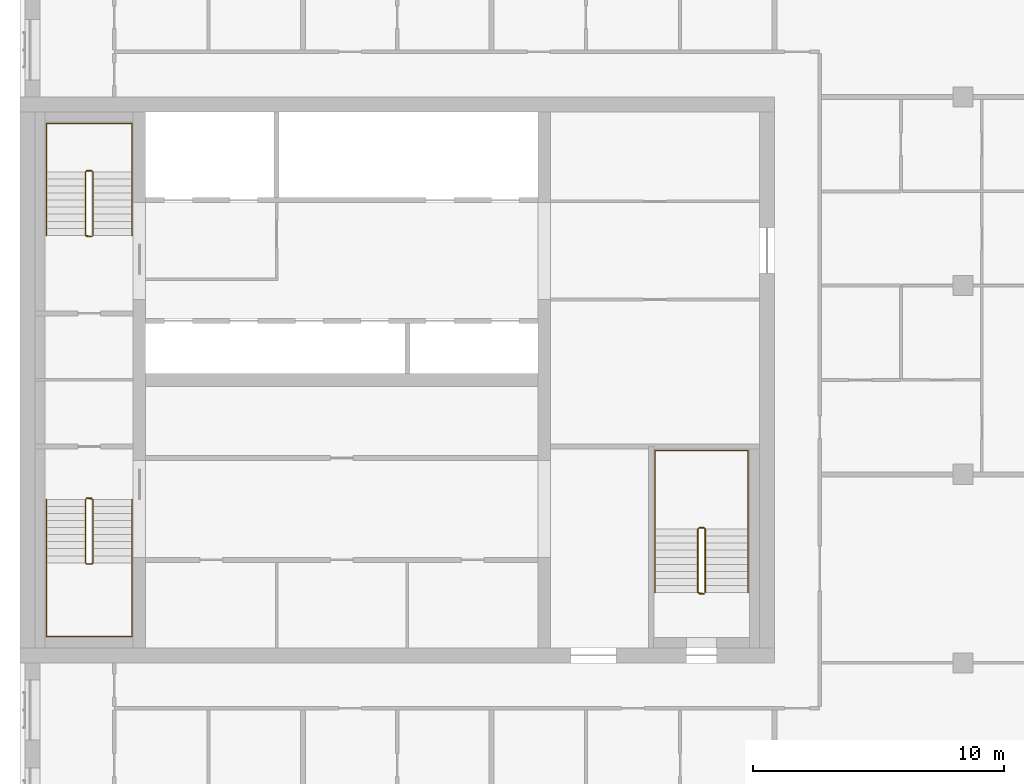
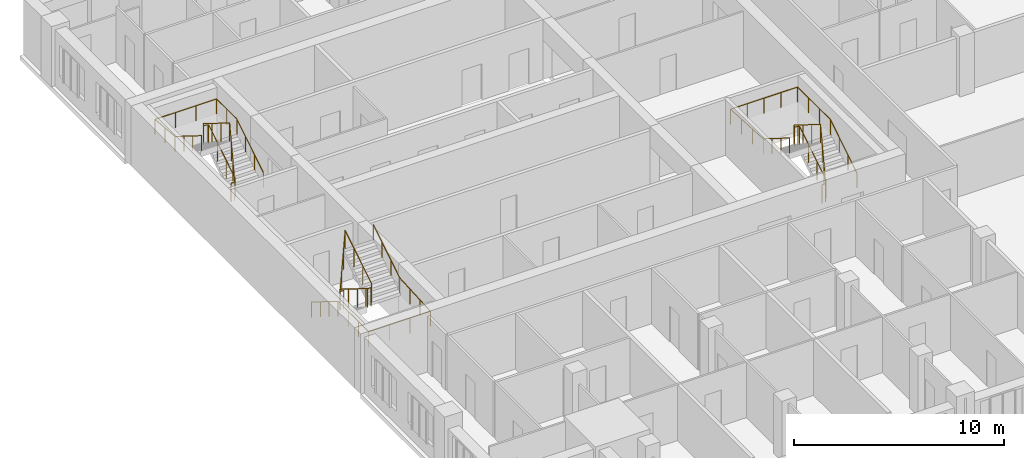
# One storey, part 10 of 10: 6 railings.
"""IFC4 building model written with IfcOpenShell, lengths in metres."""

from ifc_helpers import new_model, si_unit, direction, frame, origin, origin_2d, place, context, subcontext, project, spatial, circle, extrude, material, type_object, element, save


model = new_model("IFC4")

# Units and contexts
model_context = context("Model", 3, precision=1e-05, world=origin(), true_north=direction((0.0, 1.0)))
body_context = subcontext(model_context, "Body", "Model", "MODEL_VIEW")
ifc_project = project(units=[si_unit("LENGTHUNIT", "METRE"), si_unit("AREAUNIT", "SQUARE_METRE"), si_unit("VOLUMEUNIT", "CUBIC_METRE"), si_unit("PLANEANGLEUNIT", "RADIAN"), si_unit("MASSUNIT", "GRAM", prefix="KILO")], contexts=[model_context])

# Site, building, storey
site_placement = place(None, origin())
site = spatial("IfcSite", under=ifc_project, at=site_placement, CompositionType="ELEMENT")
building_placement = place(site_placement, origin())
building = spatial("IfcBuilding", under=site, at=building_placement, Name="Tamorin Gate", CompositionType="ELEMENT")
storey_placement = place(building_placement, frame((0.0, 0.0, 223.199951171875)))
storey = spatial("IfcBuildingStorey", under=building, at=storey_placement, Name="L55", CompositionType="ELEMENT", Elevation=223.199951171875)

# Railings
ifc_material_1 = material(Name="Painted steel balustrade", Category="steel")
railing_type_1 = type_object("IfcRailingType", Name="Stair guard 1100", PredefinedType="GUARDRAIL", material=ifc_material_1)
railing_1_placement = place(storey_placement, frame((32.60009765625, 66.5, 0.175048828125)))
element("IfcRailing", 1, at=railing_1_placement, inside=storey, type_object=railing_type_1, Name="L55 ST1 stair guard 1", PredefinedType="GUARDRAIL", context=body_context, shape_type="SweptSolid", body=[
    extrude(circle(Radius=0.02392578125, at=origin_2d()), frame((0.0, 0.0, 1.076171875), z_axis=(0.0, -0.848007534815, 0.529984170421), x_axis=(1.0, 0.0, 0.0)), (0.0, 0.0, 1.0), 2.9716796875),
    extrude(circle(Radius=0.02392578125, at=origin_2d()), frame((0.0, -2.52001953125, 2.65087890625), z_axis=(0.705375805398, -0.708833529934, 0.0), x_axis=(0.708833529934, 0.705375805398, 0.0)), (0.0, 0.0, 1.0), 0.070556640625),
    extrude(circle(Radius=0.02392578125, at=origin_2d()), frame((0.0498046875, -2.570068359375, 2.65087890625), z_axis=(1.0, 0.0, 0.0), x_axis=(0.0, 1.0, 0.0)), (0.0, 0.0, 1.0), 0.2001953125),
    extrude(circle(Radius=0.02392578125, at=origin_2d()), frame((0.25, -2.570068359375, 2.65087890625), z_axis=(0.263862480399, 0.265155923931, 0.927399011991), x_axis=(-0.708833529934, 0.705375805398, 0.0)), (0.0, 0.0, 1.0), 0.188720703125),
    extrude(circle(Radius=0.02392578125, at=origin_2d()), frame((0.2998046875, -2.52001953125, 2.826171875), z_axis=(0.0, 0.848007534815, 0.529984170421), x_axis=(-1.0, 0.0, 0.0)), (0.0, 0.0, 1.0), 2.9716796875),
    extrude(circle(Radius=0.02392578125, at=origin_2d()), frame((0.2998046875, 0.0, 4.40087890625), z_axis=(-0.071239803756, 0.014261874775, -0.997357252587), x_axis=(-0.196300278283, -0.98054382908, 0.0)), (0.0, 0.0, 1.0), 3.50927734375),
    extrude(circle(Radius=0.02392578125, at=origin_2d()), frame((0.0498046875, 0.050048828125, 0.90087890625), z_axis=(1.0, 0.0, 0.0), x_axis=(0.0, 1.0, 0.0)), (0.0, 0.0, 1.0), 0.2001953125),
    extrude(circle(Radius=0.02099609375, at=origin_2d()), origin(), (0.0, 0.0, 1.0), 1.052001953125),
    extrude(circle(Radius=0.02099609375, at=origin_2d()), frame((0.0, -0.840087890625, 0.52490234375)), (0.0, 0.0, 1.0), 1.052001953125),
    extrude(circle(Radius=0.02099609375, at=origin_2d()), frame((0.0, -1.679931640625, 1.050048828125)), (0.0, 0.0, 1.0), 1.052001953125),
    extrude(circle(Radius=0.02099609375, at=origin_2d()), frame((0.0, -2.52001953125, 1.574951171875)), (0.0, 0.0, 1.0), 1.052001953125),
    extrude(circle(Radius=0.02099609375, at=origin_2d()), frame((0.0498046875, -2.570068359375, 1.574951171875)), (0.0, 0.0, 1.0), 1.052001953125),
    extrude(circle(Radius=0.02099609375, at=origin_2d()), frame((0.25, -2.570068359375, 1.574951171875)), (0.0, 0.0, 1.0), 1.052001953125),
    extrude(circle(Radius=0.02099609375, at=origin_2d()), frame((0.2998046875, -2.52001953125, 1.75)), (0.0, 0.0, 1.0), 1.052001953125),
    extrude(circle(Radius=0.02099609375, at=origin_2d()), frame((0.2998046875, -1.679931640625, 2.27490234375)), (0.0, 0.0, 1.0), 1.052001953125),
    extrude(circle(Radius=0.02099609375, at=origin_2d()), frame((0.2998046875, -0.840087890625, 2.800048828125)), (0.0, 0.0, 1.0), 1.052001953125),
    extrude(circle(Radius=0.02099609375, at=origin_2d()), frame((0.2998046875, 0.0, 3.324951171875)), (0.0, 0.0, 1.0), 1.052001953125),
    extrude(circle(Radius=0.02099609375, at=origin_2d()), frame((0.216552734375, 0.0166015625, 2.158203125)), (0.0, 0.0, 1.0), 1.052001953125),
    extrude(circle(Radius=0.02099609375, at=origin_2d()), frame((0.133056640625, 0.033447265625, 0.99169921875)), (0.0, 0.0, 1.0), 1.052001953125),
    extrude(circle(Radius=0.02099609375, at=origin_2d()), frame((0.0498046875, 0.050048828125, -0.175048828125)), (0.0, 0.0, 1.0), 1.052001953125),
    extrude(circle(Radius=0.02099609375, at=origin_2d()), frame((0.25, 0.050048828125, -0.175048828125)), (0.0, 0.0, 1.0), 1.052001953125),
])
railing_2_placement = place(storey_placement, frame((32.89990234375, 77.0, 0.175048828125)))
element("IfcRailing", 2, at=railing_2_placement, inside=storey, type_object=railing_type_1, Name="L55 ST2 stair guard 1", PredefinedType="GUARDRAIL", context=body_context, shape_type="SweptSolid", body=[
    extrude(circle(Radius=0.02392578125, at=origin_2d()), frame((0.0, 0.0, 1.076171875), z_axis=(0.0, 0.848007534815, 0.529984170421), x_axis=(-1.0, 0.0, 0.0)), (0.0, 0.0, 1.0), 2.9716796875),
    extrude(circle(Radius=0.02392578125, at=origin_2d()), frame((0.0, 2.52001953125, 2.65087890625), z_axis=(-0.705375805398, 0.708833529934, 0.0), x_axis=(-0.708833529934, -0.705375805398, 0.0)), (0.0, 0.0, 1.0), 0.070556640625),
    extrude(circle(Radius=0.02392578125, at=origin_2d()), frame((-0.0498046875, 2.570068359375, 2.65087890625), z_axis=(-1.0, 0.0, 0.0), x_axis=(0.0, -1.0, 0.0)), (0.0, 0.0, 1.0), 0.2001953125),
    extrude(circle(Radius=0.02392578125, at=origin_2d()), frame((-0.25, 2.570068359375, 2.65087890625), z_axis=(-0.263862480399, -0.265155923931, 0.927399011991), x_axis=(0.708833529934, -0.705375805398, 0.0)), (0.0, 0.0, 1.0), 0.188720703125),
    extrude(circle(Radius=0.02392578125, at=origin_2d()), frame((-0.2998046875, 2.52001953125, 2.826171875), z_axis=(0.0, -0.848007534815, 0.529984170421), x_axis=(1.0, 0.0, 0.0)), (0.0, 0.0, 1.0), 2.9716796875),
    extrude(circle(Radius=0.02392578125, at=origin_2d()), frame((-0.2998046875, 0.0, 4.40087890625), z_axis=(0.071239803756, -0.014261874775, -0.997357252587), x_axis=(0.196300278283, 0.98054382908, 0.0)), (0.0, 0.0, 1.0), 3.50927734375),
    extrude(circle(Radius=0.02392578125, at=origin_2d()), frame((-0.0498046875, -0.050048828125, 0.90087890625), z_axis=(-1.0, 0.0, 0.0), x_axis=(0.0, -1.0, 0.0)), (0.0, 0.0, 1.0), 0.2001953125),
    extrude(circle(Radius=0.02099609375, at=origin_2d()), origin(), (0.0, 0.0, 1.0), 1.052001953125),
    extrude(circle(Radius=0.02099609375, at=origin_2d()), frame((0.0, 0.840087890625, 0.52490234375)), (0.0, 0.0, 1.0), 1.052001953125),
    extrude(circle(Radius=0.02099609375, at=origin_2d()), frame((0.0, 1.679931640625, 1.050048828125)), (0.0, 0.0, 1.0), 1.052001953125),
    extrude(circle(Radius=0.02099609375, at=origin_2d()), frame((0.0, 2.52001953125, 1.574951171875)), (0.0, 0.0, 1.0), 1.052001953125),
    extrude(circle(Radius=0.02099609375, at=origin_2d()), frame((-0.0498046875, 2.570068359375, 1.574951171875)), (0.0, 0.0, 1.0), 1.052001953125),
    extrude(circle(Radius=0.02099609375, at=origin_2d()), frame((-0.25, 2.570068359375, 1.574951171875)), (0.0, 0.0, 1.0), 1.052001953125),
    extrude(circle(Radius=0.02099609375, at=origin_2d()), frame((-0.2998046875, 2.52001953125, 1.75)), (0.0, 0.0, 1.0), 1.052001953125),
    extrude(circle(Radius=0.02099609375, at=origin_2d()), frame((-0.2998046875, 1.679931640625, 2.27490234375)), (0.0, 0.0, 1.0), 1.052001953125),
    extrude(circle(Radius=0.02099609375, at=origin_2d()), frame((-0.2998046875, 0.840087890625, 2.800048828125)), (0.0, 0.0, 1.0), 1.052001953125),
    extrude(circle(Radius=0.02099609375, at=origin_2d()), frame((-0.2998046875, 0.0, 3.324951171875)), (0.0, 0.0, 1.0), 1.052001953125),
    extrude(circle(Radius=0.02099609375, at=origin_2d()), frame((-0.216552734375, -0.0166015625, 2.158203125)), (0.0, 0.0, 1.0), 1.052001953125),
    extrude(circle(Radius=0.02099609375, at=origin_2d()), frame((-0.133056640625, -0.033447265625, 0.99169921875)), (0.0, 0.0, 1.0), 1.052001953125),
    extrude(circle(Radius=0.02099609375, at=origin_2d()), frame((-0.0498046875, -0.050048828125, -0.175048828125)), (0.0, 0.0, 1.0), 1.052001953125),
    extrude(circle(Radius=0.02099609375, at=origin_2d()), frame((-0.25, -0.050048828125, -0.175048828125)), (0.0, 0.0, 1.0), 1.052001953125),
])
railing_3_placement = place(storey_placement, frame((57.25, 62.800048828125, 0.175048828125)))
element("IfcRailing", 3, at=railing_3_placement, inside=storey, type_object=railing_type_1, Name="L55 ST3 stair guard 1", PredefinedType="GUARDRAIL", context=body_context, shape_type="SweptSolid", body=[
    extrude(circle(Radius=0.02392578125, at=origin_2d()), frame((0.0, 0.0, 1.076171875), z_axis=(0.0, 0.848007534815, 0.529984170421), x_axis=(-1.0, 0.0, 0.0)), (0.0, 0.0, 1.0), 2.9716796875),
    extrude(circle(Radius=0.02392578125, at=origin_2d()), frame((0.0, 2.52001953125, 2.65087890625), z_axis=(-0.707106781187, 0.707106781187, 0.0), x_axis=(-0.707106781187, -0.707106781187, 0.0)), (0.0, 0.0, 1.0), 0.07080078125),
    extrude(circle(Radius=0.02392578125, at=origin_2d()), frame((-0.050048828125, 2.570068359375, 2.65087890625), z_axis=(-1.0, 0.0, 0.0), x_axis=(0.0, -1.0, 0.0)), (0.0, 0.0, 1.0), 0.199951171875),
    extrude(circle(Radius=0.02392578125, at=origin_2d()), frame((-0.25, 2.570068359375, 2.65087890625), z_axis=(-0.265065253269, -0.265065253269, 0.927081885822), x_axis=(0.707106781187, -0.707106781187, 0.0)), (0.0, 0.0, 1.0), 0.188720703125),
    extrude(circle(Radius=0.02392578125, at=origin_2d()), frame((-0.300048828125, 2.52001953125, 2.826171875), z_axis=(0.0, -0.848007534815, 0.529984170421), x_axis=(1.0, 0.0, 0.0)), (0.0, 0.0, 1.0), 2.9716796875),
    extrude(circle(Radius=0.02392578125, at=origin_2d()), frame((-0.300048828125, 0.0, 4.40087890625), z_axis=(0.071239803756, -0.014261874775, -0.997357252587), x_axis=(0.196300278283, 0.98054382908, 0.0)), (0.0, 0.0, 1.0), 3.50927734375),
    extrude(circle(Radius=0.02392578125, at=origin_2d()), frame((-0.050048828125, -0.050048828125, 0.90087890625), z_axis=(-1.0, 0.0, 0.0), x_axis=(0.0, -1.0, 0.0)), (0.0, 0.0, 1.0), 0.199951171875),
    extrude(circle(Radius=0.02099609375, at=origin_2d()), origin(), (0.0, 0.0, 1.0), 1.052001953125),
    extrude(circle(Radius=0.02099609375, at=origin_2d()), frame((0.0, 0.840087890625, 0.52490234375)), (0.0, 0.0, 1.0), 1.052001953125),
    extrude(circle(Radius=0.02099609375, at=origin_2d()), frame((0.0, 1.679931640625, 1.050048828125)), (0.0, 0.0, 1.0), 1.052001953125),
    extrude(circle(Radius=0.02099609375, at=origin_2d()), frame((0.0, 2.52001953125, 1.574951171875)), (0.0, 0.0, 1.0), 1.052001953125),
    extrude(circle(Radius=0.02099609375, at=origin_2d()), frame((-0.050048828125, 2.570068359375, 1.574951171875)), (0.0, 0.0, 1.0), 1.052001953125),
    extrude(circle(Radius=0.02099609375, at=origin_2d()), frame((-0.25, 2.570068359375, 1.574951171875)), (0.0, 0.0, 1.0), 1.052001953125),
    extrude(circle(Radius=0.02099609375, at=origin_2d()), frame((-0.300048828125, 2.52001953125, 1.75)), (0.0, 0.0, 1.0), 1.052001953125),
    extrude(circle(Radius=0.02099609375, at=origin_2d()), frame((-0.300048828125, 1.679931640625, 2.27490234375)), (0.0, 0.0, 1.0), 1.052001953125),
    extrude(circle(Radius=0.02099609375, at=origin_2d()), frame((-0.300048828125, 0.840087890625, 2.800048828125)), (0.0, 0.0, 1.0), 1.052001953125),
    extrude(circle(Radius=0.02099609375, at=origin_2d()), frame((-0.300048828125, 0.0, 3.324951171875)), (0.0, 0.0, 1.0), 1.052001953125),
    extrude(circle(Radius=0.02099609375, at=origin_2d()), frame((-0.216796875, -0.0166015625, 2.158203125)), (0.0, 0.0, 1.0), 1.052001953125),
    extrude(circle(Radius=0.02099609375, at=origin_2d()), frame((-0.13330078125, -0.033447265625, 0.99169921875)), (0.0, 0.0, 1.0), 1.052001953125),
    extrude(circle(Radius=0.02099609375, at=origin_2d()), frame((-0.050048828125, -0.050048828125, -0.175048828125)), (0.0, 0.0, 1.0), 1.052001953125),
    extrude(circle(Radius=0.02099609375, at=origin_2d()), frame((-0.25, -0.050048828125, -0.175048828125)), (0.0, 0.0, 1.0), 1.052001953125),
])
ifc_material_2 = material(Name="Painted steel handrail", Category="steel")
railing_type_2 = type_object("IfcRailingType", Name="Stair handrail 900", PredefinedType="HANDRAIL", material=ifc_material_2)
railing_4_placement = place(storey_placement, frame((31.050048828125, 66.5, 0.175048828125)))
element("IfcRailing", 4, at=railing_4_placement, inside=storey, type_object=railing_type_2, Name="L55 ST1 stair handrail 1", PredefinedType="HANDRAIL", context=body_context, shape_type="SweptSolid", body=[
    extrude(circle(Radius=0.02392578125, at=origin_2d()), frame((0.0, 0.0, 0.8759765625), z_axis=(0.0, -0.848007534815, 0.529984170421), x_axis=(1.0, 0.0, 0.0)), (0.0, 0.0, 1.0), 2.9716796875),
    extrude(circle(Radius=0.02392578125, at=origin_2d()), frame((0.0, -2.52001953125, 2.45068359375), z_axis=(0.0, -1.0, 0.0), x_axis=(1.0, 0.0, 0.0)), (0.0, 0.0, 1.0), 2.929931640625),
    extrude(circle(Radius=0.02392578125, at=origin_2d()), frame((0.0, -5.449951171875, 2.45068359375), z_axis=(1.0, 0.0, 0.0), x_axis=(0.0, 1.0, 0.0)), (0.0, 0.0, 1.0), 3.39990234375),
    extrude(circle(Radius=0.02392578125, at=origin_2d()), frame((3.39990234375, -5.449951171875, 2.45068359375), z_axis=(0.0, 0.998220029962, 0.0596386769), x_axis=(-1.0, 0.0, 0.0)), (0.0, 0.0, 1.0), 2.93505859375),
    extrude(circle(Radius=0.02392578125, at=origin_2d()), frame((3.39990234375, -2.52001953125, 2.6259765625), z_axis=(0.0, 0.848007534815, 0.529984170421), x_axis=(-1.0, 0.0, 0.0)), (0.0, 0.0, 1.0), 2.9716796875),
    extrude(circle(Radius=0.02099609375, at=origin_2d()), origin(), (0.0, 0.0, 1.0), 0.851806640625),
    extrude(circle(Radius=0.02099609375, at=origin_2d()), frame((0.0, -0.840087890625, 0.52490234375)), (0.0, 0.0, 1.0), 0.851806640625),
    extrude(circle(Radius=0.02099609375, at=origin_2d()), frame((0.0, -1.679931640625, 1.050048828125)), (0.0, 0.0, 1.0), 0.851806640625),
    extrude(circle(Radius=0.02099609375, at=origin_2d()), frame((0.0, -2.52001953125, 1.574951171875)), (0.0, 0.0, 1.0), 0.851806640625),
    extrude(circle(Radius=0.02099609375, at=origin_2d()), frame((0.0, -3.49658203125, 1.574951171875)), (0.0, 0.0, 1.0), 0.851806640625),
    extrude(circle(Radius=0.02099609375, at=origin_2d()), frame((0.0, -4.473388671875, 1.574951171875)), (0.0, 0.0, 1.0), 0.851806640625),
    extrude(circle(Radius=0.02099609375, at=origin_2d()), frame((0.0, -5.449951171875, 1.574951171875)), (0.0, 0.0, 1.0), 0.851806640625),
    extrude(circle(Radius=0.02099609375, at=origin_2d()), frame((1.13330078125, -5.449951171875, 1.574951171875)), (0.0, 0.0, 1.0), 0.851806640625),
    extrude(circle(Radius=0.02099609375, at=origin_2d()), frame((2.2666015625, -5.449951171875, 1.574951171875)), (0.0, 0.0, 1.0), 0.851806640625),
    extrude(circle(Radius=0.02099609375, at=origin_2d()), frame((3.39990234375, -5.449951171875, 1.574951171875)), (0.0, 0.0, 1.0), 0.851806640625),
    extrude(circle(Radius=0.02099609375, at=origin_2d()), frame((3.39990234375, -4.473388671875, 1.63330078125)), (0.0, 0.0, 1.0), 0.851806640625),
    extrude(circle(Radius=0.02099609375, at=origin_2d()), frame((3.39990234375, -3.49658203125, 1.691650390625)), (0.0, 0.0, 1.0), 0.851806640625),
    extrude(circle(Radius=0.02099609375, at=origin_2d()), frame((3.39990234375, -2.52001953125, 1.75)), (0.0, 0.0, 1.0), 0.851806640625),
    extrude(circle(Radius=0.02099609375, at=origin_2d()), frame((3.39990234375, -1.679931640625, 2.27490234375)), (0.0, 0.0, 1.0), 0.851806640625),
    extrude(circle(Radius=0.02099609375, at=origin_2d()), frame((3.39990234375, -0.840087890625, 2.800048828125)), (0.0, 0.0, 1.0), 0.851806640625),
    extrude(circle(Radius=0.02099609375, at=origin_2d()), frame((3.39990234375, 0.0, 3.324951171875)), (0.0, 0.0, 1.0), 0.851806640625),
])
railing_5_placement = place(storey_placement, frame((34.449951171875, 77.0, 0.175048828125)))
element("IfcRailing", 5, at=railing_5_placement, inside=storey, type_object=railing_type_2, Name="L55 ST2 stair handrail 1", PredefinedType="HANDRAIL", context=body_context, shape_type="SweptSolid", body=[
    extrude(circle(Radius=0.02392578125, at=origin_2d()), frame((0.0, 0.0, 0.8759765625), z_axis=(0.0, 0.848007534815, 0.529984170421), x_axis=(-1.0, 0.0, 0.0)), (0.0, 0.0, 1.0), 2.9716796875),
    extrude(circle(Radius=0.02392578125, at=origin_2d()), frame((0.0, 2.52001953125, 2.45068359375), z_axis=(0.0, 1.0, 0.0), x_axis=(-1.0, 0.0, 0.0)), (0.0, 0.0, 1.0), 1.929931640625),
    extrude(circle(Radius=0.02392578125, at=origin_2d()), frame((0.0, 4.449951171875, 2.45068359375), z_axis=(-1.0, 0.0, 0.0), x_axis=(0.0, -1.0, 0.0)), (0.0, 0.0, 1.0), 3.39990234375),
    extrude(circle(Radius=0.02392578125, at=origin_2d()), frame((-3.39990234375, 4.449951171875, 2.45068359375), z_axis=(0.0, -0.995911773435, 0.090331276604), x_axis=(1.0, 0.0, 0.0)), (0.0, 0.0, 1.0), 1.937744140625),
    extrude(circle(Radius=0.02392578125, at=origin_2d()), frame((-3.39990234375, 2.52001953125, 2.6259765625), z_axis=(0.0, -0.848007534815, 0.529984170421), x_axis=(1.0, 0.0, 0.0)), (0.0, 0.0, 1.0), 2.9716796875),
    extrude(circle(Radius=0.02099609375, at=origin_2d()), origin(), (0.0, 0.0, 1.0), 0.851806640625),
    extrude(circle(Radius=0.02099609375, at=origin_2d()), frame((0.0, 0.840087890625, 0.52490234375)), (0.0, 0.0, 1.0), 0.851806640625),
    extrude(circle(Radius=0.02099609375, at=origin_2d()), frame((0.0, 1.679931640625, 1.050048828125)), (0.0, 0.0, 1.0), 0.851806640625),
    extrude(circle(Radius=0.02099609375, at=origin_2d()), frame((0.0, 2.52001953125, 1.574951171875)), (0.0, 0.0, 1.0), 0.851806640625),
    extrude(circle(Radius=0.02099609375, at=origin_2d()), frame((0.0, 3.48486328125, 1.574951171875)), (0.0, 0.0, 1.0), 0.851806640625),
    extrude(circle(Radius=0.02099609375, at=origin_2d()), frame((0.0, 4.449951171875, 1.574951171875)), (0.0, 0.0, 1.0), 0.851806640625),
    extrude(circle(Radius=0.02099609375, at=origin_2d()), frame((-1.13330078125, 4.449951171875, 1.574951171875)), (0.0, 0.0, 1.0), 0.851806640625),
    extrude(circle(Radius=0.02099609375, at=origin_2d()), frame((-2.2666015625, 4.449951171875, 1.574951171875)), (0.0, 0.0, 1.0), 0.851806640625),
    extrude(circle(Radius=0.02099609375, at=origin_2d()), frame((-3.39990234375, 4.449951171875, 1.574951171875)), (0.0, 0.0, 1.0), 0.851806640625),
    extrude(circle(Radius=0.02099609375, at=origin_2d()), frame((-3.39990234375, 3.48486328125, 1.66259765625)), (0.0, 0.0, 1.0), 0.851806640625),
    extrude(circle(Radius=0.02099609375, at=origin_2d()), frame((-3.39990234375, 2.52001953125, 1.75)), (0.0, 0.0, 1.0), 0.851806640625),
    extrude(circle(Radius=0.02099609375, at=origin_2d()), frame((-3.39990234375, 1.679931640625, 2.27490234375)), (0.0, 0.0, 1.0), 0.851806640625),
    extrude(circle(Radius=0.02099609375, at=origin_2d()), frame((-3.39990234375, 0.840087890625, 2.800048828125)), (0.0, 0.0, 1.0), 0.851806640625),
    extrude(circle(Radius=0.02099609375, at=origin_2d()), frame((-3.39990234375, 0.0, 3.324951171875)), (0.0, 0.0, 1.0), 0.851806640625),
])
railing_6_placement = place(storey_placement, frame((58.949951171875, 62.800048828125, 0.175048828125)))
element("IfcRailing", 6, at=railing_6_placement, inside=storey, type_object=railing_type_2, Name="L55 ST3 stair handrail 1", PredefinedType="HANDRAIL", context=body_context, shape_type="SweptSolid", body=[
    extrude(circle(Radius=0.02392578125, at=origin_2d()), frame((0.0, 0.0, 0.8759765625), z_axis=(0.0, 0.848007534815, 0.529984170421), x_axis=(-1.0, 0.0, 0.0)), (0.0, 0.0, 1.0), 2.9716796875),
    extrude(circle(Radius=0.02392578125, at=origin_2d()), frame((0.0, 2.52001953125, 2.45068359375), z_axis=(0.0, 1.0, 0.0), x_axis=(-1.0, 0.0, 0.0)), (0.0, 0.0, 1.0), 3.1298828125),
    extrude(circle(Radius=0.02392578125, at=origin_2d()), frame((0.0, 5.64990234375, 2.45068359375), z_axis=(-1.0, 0.0, 0.0), x_axis=(0.0, -1.0, 0.0)), (0.0, 0.0, 1.0), 3.699951171875),
    extrude(circle(Radius=0.02392578125, at=origin_2d()), frame((-3.699951171875, 5.64990234375, 2.45068359375), z_axis=(0.0, -0.998439675676, 0.055840970941), x_axis=(1.0, 0.0, 0.0)), (0.0, 0.0, 1.0), 3.134765625),
    extrude(circle(Radius=0.02392578125, at=origin_2d()), frame((-3.699951171875, 2.52001953125, 2.6259765625), z_axis=(0.0, -0.848007534815, 0.529984170421), x_axis=(1.0, 0.0, 0.0)), (0.0, 0.0, 1.0), 2.9716796875),
    extrude(circle(Radius=0.02099609375, at=origin_2d()), origin(), (0.0, 0.0, 1.0), 0.851806640625),
    extrude(circle(Radius=0.02099609375, at=origin_2d()), frame((0.0, 0.840087890625, 0.52490234375)), (0.0, 0.0, 1.0), 0.851806640625),
    extrude(circle(Radius=0.02099609375, at=origin_2d()), frame((0.0, 1.679931640625, 1.050048828125)), (0.0, 0.0, 1.0), 0.851806640625),
    extrude(circle(Radius=0.02099609375, at=origin_2d()), frame((0.0, 2.52001953125, 1.574951171875)), (0.0, 0.0, 1.0), 0.851806640625),
    extrude(circle(Radius=0.02099609375, at=origin_2d()), frame((0.0, 3.563232421875, 1.574951171875)), (0.0, 0.0, 1.0), 0.851806640625),
    extrude(circle(Radius=0.02099609375, at=origin_2d()), frame((0.0, 4.606689453125, 1.574951171875)), (0.0, 0.0, 1.0), 0.851806640625),
    extrude(circle(Radius=0.02099609375, at=origin_2d()), frame((0.0, 5.64990234375, 1.574951171875)), (0.0, 0.0, 1.0), 0.851806640625),
    extrude(circle(Radius=0.02099609375, at=origin_2d()), frame((-0.925048828125, 5.64990234375, 1.574951171875)), (0.0, 0.0, 1.0), 0.851806640625),
    extrude(circle(Radius=0.02099609375, at=origin_2d()), frame((-1.85009765625, 5.64990234375, 1.574951171875)), (0.0, 0.0, 1.0), 0.851806640625),
    extrude(circle(Radius=0.02099609375, at=origin_2d()), frame((-2.77490234375, 5.64990234375, 1.574951171875)), (0.0, 0.0, 1.0), 0.851806640625),
    extrude(circle(Radius=0.02099609375, at=origin_2d()), frame((-3.699951171875, 5.64990234375, 1.574951171875)), (0.0, 0.0, 1.0), 0.851806640625),
    extrude(circle(Radius=0.02099609375, at=origin_2d()), frame((-3.699951171875, 4.606689453125, 1.63330078125)), (0.0, 0.0, 1.0), 0.851806640625),
    extrude(circle(Radius=0.02099609375, at=origin_2d()), frame((-3.699951171875, 3.563232421875, 1.691650390625)), (0.0, 0.0, 1.0), 0.851806640625),
    extrude(circle(Radius=0.02099609375, at=origin_2d()), frame((-3.699951171875, 2.52001953125, 1.75)), (0.0, 0.0, 1.0), 0.851806640625),
    extrude(circle(Radius=0.02099609375, at=origin_2d()), frame((-3.699951171875, 1.679931640625, 2.27490234375)), (0.0, 0.0, 1.0), 0.851806640625),
    extrude(circle(Radius=0.02099609375, at=origin_2d()), frame((-3.699951171875, 0.840087890625, 2.800048828125)), (0.0, 0.0, 1.0), 0.851806640625),
    extrude(circle(Radius=0.02099609375, at=origin_2d()), frame((-3.699951171875, 0.0, 3.324951171875)), (0.0, 0.0, 1.0), 0.851806640625),
])

save(model, "model.ifc")
